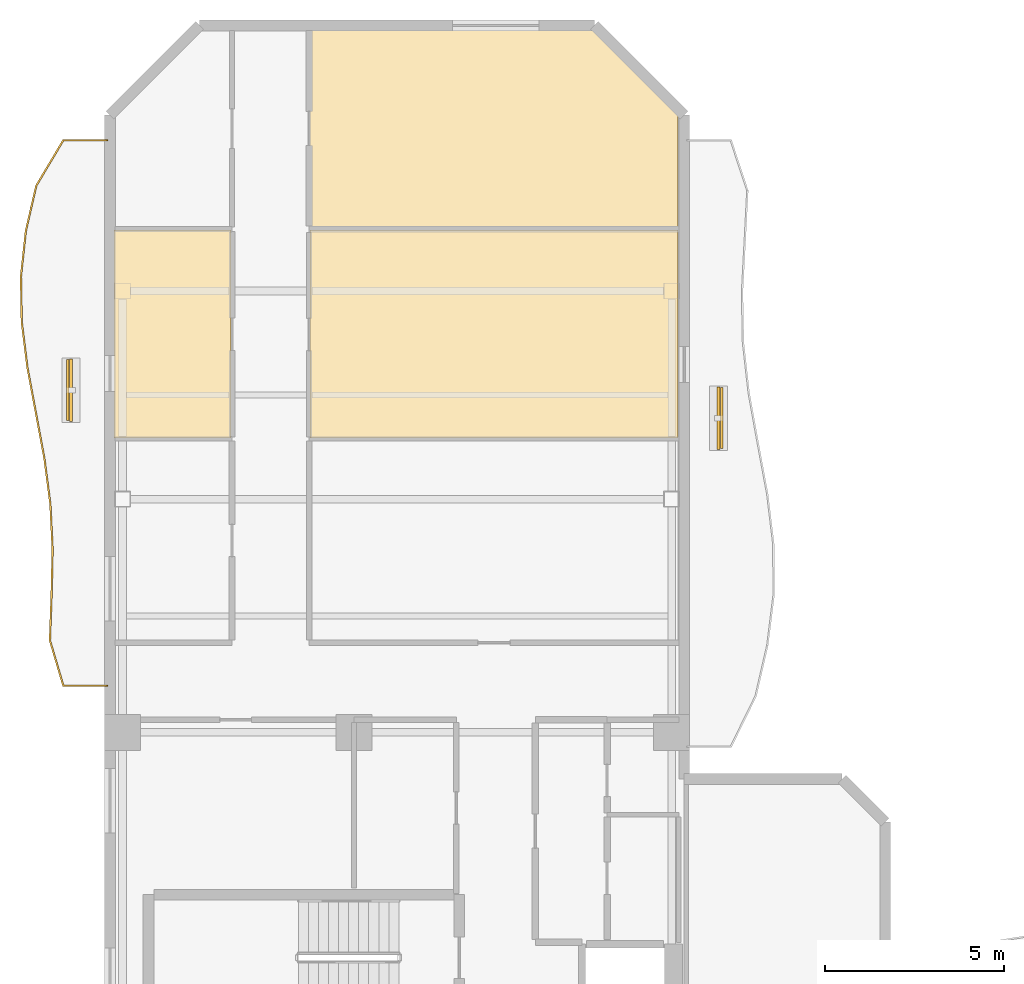
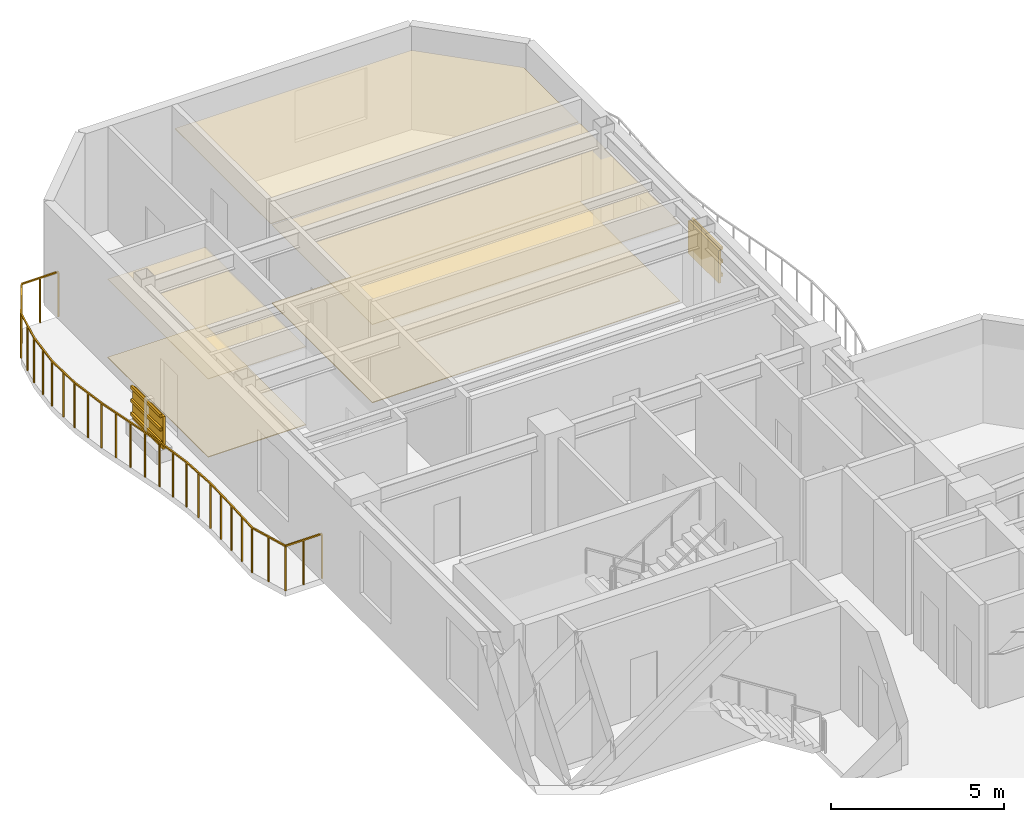
# One storey, part 9 of 9: 8 shading devices, 5 coverings, 1 railing.
"""IFC4 building model written with IfcOpenShell, lengths in metres."""

from ifc_helpers import new_model, si_unit, direction, frame, origin, origin_2d, place, context, subcontext, project, spatial, polyline, rectangle, outline, extrude, material, layer, layer_set, material_profile, profile_set, type_object, element, save


model = new_model("IFC4")

# Units and contexts
model_context = context("Model", 3, precision=1e-05, world=origin(), true_north=direction((0.0, 1.0)))
body_context = subcontext(model_context, "Body", "Model", "MODEL_VIEW")
ifc_project = project(units=[si_unit("LENGTHUNIT", "METRE"), si_unit("AREAUNIT", "SQUARE_METRE"), si_unit("VOLUMEUNIT", "CUBIC_METRE"), si_unit("PLANEANGLEUNIT", "RADIAN"), si_unit("MASSUNIT", "GRAM", prefix="KILO")], contexts=[model_context])

# Site, building, storey
site_placement = place(None, origin())
site = spatial("IfcSite", under=ifc_project, at=site_placement, CompositionType="ELEMENT")
building_placement = place(site_placement, origin())
building = spatial("IfcBuilding", under=site, at=building_placement, Name="Mawjaban Terraces University", CompositionType="ELEMENT")
storey_placement = place(building_placement, frame((0.0, 0.0, 234.300048828125)))
storey = spatial("IfcBuildingStorey", under=building, at=storey_placement, Name="L57", CompositionType="ELEMENT", Elevation=234.300048828125)

# Coverings
ifc_material_1 = material(Name="Acoustic mineral fibre ceiling tile", Category="masonry")
ifc_layer_1 = layer(ifc_material_1, 0.02001953125)
ifc_layer_set_1 = layer_set([ifc_layer_1], Name="Acoustic mineral fibre ceiling tile")
covering_type_1 = type_object("IfcCoveringType", Name="AcousticMineralCeiling_20", PredefinedType="CEILING", material=ifc_layer_set_1)
covering_1_placement = place(storey_placement, frame((0.0, 0.0, 2.75)))
element("IfcCovering", 1, at=covering_1_placement, inside=storey, type_object=covering_type_1, Name="L57 Quiet Reading Room 12 Acoustic Ceiling", PredefinedType="CEILING", context=body_context, shape_type="SweptSolid", body=[
    extrude(outline(polyline([(22.114990234375, 37.493896484375), (22.114990234375, 31.7060546875), (25.3701171875, 31.7060546875), (25.3701171875, 37.493896484375), (22.114990234375, 37.493896484375)])), origin(), (0.0, 0.0, 1.0), 0.02001953125),
])
covering_2_placement = place(storey_placement, frame((0.0, 0.0, 2.75)))
element("IfcCovering", 2, at=covering_2_placement, inside=storey, type_object=covering_type_1, Name="L57 Reading Salon 13 Acoustic Ceiling", PredefinedType="CEILING", context=body_context, shape_type="SweptSolid", body=[
    extrude(outline(polyline([(37.820068359375, 31.7060546875), (37.820068359375, 37.493896484375), (27.580078125, 37.493896484375), (27.580078125, 31.7060546875), (37.820068359375, 31.7060546875)])), origin(), (0.0, 0.0, 1.0), 0.02001953125),
])
covering_3_placement = place(storey_placement, frame((0.0, 0.0, 2.75)))
element("IfcCovering", 3, at=covering_3_placement, inside=storey, type_object=covering_type_1, Name="L57 Design Studio 15 Acoustic Ceiling", PredefinedType="CEILING", context=body_context, shape_type="SweptSolid", body=[
    extrude(outline(polyline([(37.820068359375, 40.718017578125), (35.452880859375, 43.0849609375), (27.580078125, 43.0849609375), (27.580078125, 37.553955078125), (37.820068359375, 37.553955078125), (37.820068359375, 40.718017578125)])), origin(), (0.0, 0.0, 1.0), 0.02001953125),
])

# Railing
ifc_material_2 = material(Name="Galvanised powder-coated steel S355", Category="steel")
railing_type = type_object("IfcRailingType", Name="BalconyBalustrade_1600", PredefinedType="BALUSTRADE", material=ifc_material_2)
railing_placement = place(storey_placement, frame((21.919921875, 24.800048828125, 0.0)))
element("IfcRailing", 4, at=railing_placement, inside=storey, type_object=railing_type, Name="L57 Balcony Guardrail west", PredefinedType="BALUSTRADE", context=body_context, shape_type="SweptSolid", body=[
    extrude(rectangle(XDim=0.048095703125, YDim=0.048095703125, at=origin_2d()), frame((0.0, 0.0, 1.576171875), z_axis=(-1.0, 0.0, 0.0), x_axis=(0.0, -1.0, 0.0)), (0.0, 0.0, 1.0), 1.219970703125),
    extrude(rectangle(XDim=0.048095703125, YDim=0.048095703125, at=origin_2d()), frame((-1.219970703125, 0.0, 1.576171875), z_axis=(-0.283836652003, 0.958872647946, 0.0), x_axis=(-0.958872647946, -0.283836652003, 0.0)), (0.0, 0.0, 1.0), 1.3212890625),
    extrude(rectangle(XDim=0.048095703125, YDim=0.048095703125, at=origin_2d()), frame((-1.594970703125, 1.266845703125, 1.576171875), z_axis=(0.036420094756, 0.999336568278, 0.0), x_axis=(-0.999336568278, 0.036420094756, 0.0)), (0.0, 0.0, 1.0), 1.266845703125),
    extrude(rectangle(XDim=0.048095703125, YDim=0.048095703125, at=origin_2d()), frame((-1.548828125, 2.532958984375, 1.576171875), z_axis=(0.022730156671, 0.999741636613, 0.0), x_axis=(-0.999741636613, 0.022730156671, 0.0)), (0.0, 0.0, 1.0), 1.267333984375),
    extrude(rectangle(XDim=0.048095703125, YDim=0.048095703125, at=origin_2d()), frame((-1.52001953125, 3.800048828125, 1.576171875), z_axis=(-0.049659218488, 0.998766219903, 0.0), x_axis=(-0.998766219903, -0.049659218488, 0.0)), (0.0, 0.0, 1.0), 1.268310546875),
    extrude(rectangle(XDim=0.048095703125, YDim=0.048095703125, at=origin_2d()), frame((-1.5830078125, 5.06689453125, 1.576171875), z_axis=(-0.1300093866, 0.991512763103, 0.0), x_axis=(-0.991512763103, -0.1300093866, 0.0)), (0.0, 0.0, 1.0), 1.27685546875),
    extrude(rectangle(XDim=0.048095703125, YDim=0.048095703125, at=origin_2d()), frame((-1.7490234375, 6.3330078125, 1.576171875), z_axis=(-0.183018639855, 0.98310944328, 0.0), x_axis=(-0.98310944328, -0.183018639855, 0.0)), (0.0, 0.0, 1.0), 1.28857421875),
    extrude(rectangle(XDim=0.048095703125, YDim=0.048095703125, at=origin_2d()), frame((-1.98486328125, 7.599853515625, 1.576171875), z_axis=(-0.183167629907, 0.983081695158, 0.0), x_axis=(-0.983081695158, -0.183167629907, 0.0)), (0.0, 0.0, 1.0), 1.288818359375),
    extrude(rectangle(XDim=0.048095703125, YDim=0.048095703125, at=origin_2d()), frame((-2.220947265625, 8.866943359375, 1.576171875), z_axis=(-0.124552767718, 0.992212985227, 0.0), x_axis=(-0.992212985227, -0.124552767718, 0.0)), (0.0, 0.0, 1.0), 1.276123046875),
    extrude(rectangle(XDim=0.048095703125, YDim=0.048095703125, at=origin_2d()), frame((-2.3798828125, 10.133056640625, 1.576171875), z_axis=(-0.018112272148, 0.999835959344, 0.0), x_axis=(-0.999835959344, -0.018112272148, 0.0)), (0.0, 0.0, 1.0), 1.26708984375),
    extrude(rectangle(XDim=0.048095703125, YDim=0.048095703125, at=origin_2d()), frame((-2.40283203125, 11.39990234375, 1.576171875), z_axis=(0.107466490315, 0.994208707193, 0.0), x_axis=(-0.994208707193, 0.107466490315, 0.0)), (0.0, 0.0, 1.0), 1.2744140625),
    extrude(rectangle(XDim=0.048095703125, YDim=0.048095703125, at=origin_2d()), frame((-2.265869140625, 12.6669921875, 1.576171875), z_axis=(0.224049507201, 0.974577764123, 0.0), x_axis=(-0.974577764123, 0.224049507201, 0.0)), (0.0, 0.0, 1.0), 1.298828125),
    extrude(rectangle(XDim=0.048095703125, YDim=0.048095703125, at=origin_2d()), frame((-1.974853515625, 13.932861328125, 1.576171875), z_axis=(0.511815572466, 0.859095349645, 0.0), x_axis=(-0.859095349645, 0.511815572466, 0.0)), (0.0, 0.0, 1.0), 1.474853515625),
    extrude(rectangle(XDim=0.048095703125, YDim=0.048095703125, at=origin_2d()), frame((-1.219970703125, 15.199951171875, 1.576171875), z_axis=(1.0, 0.0, 0.0), x_axis=(0.0, 1.0, 0.0)), (0.0, 0.0, 1.0), 1.219970703125),
    extrude(rectangle(XDim=0.0419921875, YDim=0.0419921875, at=origin_2d()), origin(), (0.0, 0.0, 1.0), 1.552001953125),
    extrude(rectangle(XDim=0.0419921875, YDim=0.0419921875, at=origin_2d()), frame((-0.60986328125, 0.0, 0.0)), (0.0, 0.0, 1.0), 1.552001953125),
    extrude(rectangle(XDim=0.0419921875, YDim=0.0419921875, at=origin_2d()), frame((-1.219970703125, 0.0, 0.0)), (0.0, 0.0, 1.0), 1.552001953125),
    extrude(rectangle(XDim=0.0419921875, YDim=0.0419921875, at=origin_2d()), frame((-1.407470703125, 0.63330078125, 0.0)), (0.0, 0.0, 1.0), 1.552001953125),
    extrude(rectangle(XDim=0.0419921875, YDim=0.0419921875, at=origin_2d()), frame((-1.594970703125, 1.266845703125, 0.0)), (0.0, 0.0, 1.0), 1.552001953125),
    extrude(rectangle(XDim=0.0419921875, YDim=0.0419921875, at=origin_2d()), frame((-1.57177734375, 1.89990234375, 0.0)), (0.0, 0.0, 1.0), 1.552001953125),
    extrude(rectangle(XDim=0.0419921875, YDim=0.0419921875, at=origin_2d()), frame((-1.548828125, 2.532958984375, 0.0)), (0.0, 0.0, 1.0), 1.552001953125),
    extrude(rectangle(XDim=0.0419921875, YDim=0.0419921875, at=origin_2d()), frame((-1.534423828125, 3.16650390625, 0.0)), (0.0, 0.0, 1.0), 1.552001953125),
    extrude(rectangle(XDim=0.0419921875, YDim=0.0419921875, at=origin_2d()), frame((-1.52001953125, 3.800048828125, 0.0)), (0.0, 0.0, 1.0), 1.552001953125),
    extrude(rectangle(XDim=0.0419921875, YDim=0.0419921875, at=origin_2d()), frame((-1.551513671875, 4.43359375, 0.0)), (0.0, 0.0, 1.0), 1.552001953125),
    extrude(rectangle(XDim=0.0419921875, YDim=0.0419921875, at=origin_2d()), frame((-1.5830078125, 5.06689453125, 0.0)), (0.0, 0.0, 1.0), 1.552001953125),
    extrude(rectangle(XDim=0.0419921875, YDim=0.0419921875, at=origin_2d()), frame((-1.666015625, 5.699951171875, 0.0)), (0.0, 0.0, 1.0), 1.552001953125),
    extrude(rectangle(XDim=0.0419921875, YDim=0.0419921875, at=origin_2d()), frame((-1.7490234375, 6.3330078125, 0.0)), (0.0, 0.0, 1.0), 1.552001953125),
    extrude(rectangle(XDim=0.0419921875, YDim=0.0419921875, at=origin_2d()), frame((-1.866943359375, 6.96630859375, 0.0)), (0.0, 0.0, 1.0), 1.552001953125),
    extrude(rectangle(XDim=0.0419921875, YDim=0.0419921875, at=origin_2d()), frame((-1.98486328125, 7.599853515625, 0.0)), (0.0, 0.0, 1.0), 1.552001953125),
    extrude(rectangle(XDim=0.0419921875, YDim=0.0419921875, at=origin_2d()), frame((-2.10302734375, 8.2333984375, 0.0)), (0.0, 0.0, 1.0), 1.552001953125),
    extrude(rectangle(XDim=0.0419921875, YDim=0.0419921875, at=origin_2d()), frame((-2.220947265625, 8.866943359375, 0.0)), (0.0, 0.0, 1.0), 1.552001953125),
    extrude(rectangle(XDim=0.0419921875, YDim=0.0419921875, at=origin_2d()), frame((-2.30029296875, 9.5, 0.0)), (0.0, 0.0, 1.0), 1.552001953125),
    extrude(rectangle(XDim=0.0419921875, YDim=0.0419921875, at=origin_2d()), frame((-2.3798828125, 10.133056640625, 0.0)), (0.0, 0.0, 1.0), 1.552001953125),
    extrude(rectangle(XDim=0.0419921875, YDim=0.0419921875, at=origin_2d()), frame((-2.391357421875, 10.7666015625, 0.0)), (0.0, 0.0, 1.0), 1.552001953125),
    extrude(rectangle(XDim=0.0419921875, YDim=0.0419921875, at=origin_2d()), frame((-2.40283203125, 11.39990234375, 0.0)), (0.0, 0.0, 1.0), 1.552001953125),
    extrude(rectangle(XDim=0.0419921875, YDim=0.0419921875, at=origin_2d()), frame((-2.33447265625, 12.033447265625, 0.0)), (0.0, 0.0, 1.0), 1.552001953125),
    extrude(rectangle(XDim=0.0419921875, YDim=0.0419921875, at=origin_2d()), frame((-2.265869140625, 12.6669921875, 0.0)), (0.0, 0.0, 1.0), 1.552001953125),
    extrude(rectangle(XDim=0.0419921875, YDim=0.0419921875, at=origin_2d()), frame((-2.120361328125, 13.2998046875, 0.0)), (0.0, 0.0, 1.0), 1.552001953125),
    extrude(rectangle(XDim=0.0419921875, YDim=0.0419921875, at=origin_2d()), frame((-1.974853515625, 13.932861328125, 0.0)), (0.0, 0.0, 1.0), 1.552001953125),
    extrude(rectangle(XDim=0.0419921875, YDim=0.0419921875, at=origin_2d()), frame((-1.597412109375, 14.56640625, 0.0)), (0.0, 0.0, 1.0), 1.552001953125),
    extrude(rectangle(XDim=0.0419921875, YDim=0.0419921875, at=origin_2d()), frame((-1.219970703125, 15.199951171875, 0.0)), (0.0, 0.0, 1.0), 1.552001953125),
    extrude(rectangle(XDim=0.0419921875, YDim=0.0419921875, at=origin_2d()), frame((-0.60986328125, 15.199951171875, 0.0)), (0.0, 0.0, 1.0), 1.552001953125),
    extrude(rectangle(XDim=0.0419921875, YDim=0.0419921875, at=origin_2d()), frame((0.0, 15.199951171875, 0.0)), (0.0, 0.0, 1.0), 1.552001953125),
])

# Shading devices
ifc_material_3 = material(Name="Glazed architectural terracotta ceramic", Category="masonry")
ifc_material_profile = material_profile(ifc_material_3, rectangle(XDim=0.06494140625, YDim=0.110107421875, at=origin_2d()), Name="TBAG110X65")
ifc_profile_set = profile_set([ifc_material_profile], Name="Glazed architectural terracotta ceramic")
shading_device_type_1 = type_object("IfcShadingDeviceType", Name="TerracottaBaguette_110x65", PredefinedType="USERDEFINED", material=ifc_profile_set)
for number, where, z_axis, x_axis, name in (
    (5, (20.827880859375, 32.18408203125, 0.679931640625), (0.0, 1.0, 0.0), (-1.0, 0.0, 0.0), "L57 Horizontal Terracotta Baguette west.1"),
    (6, (20.827880859375, 32.18408203125, 1.14990234375), (0.0, 1.0, 0.0), (-1.0, 0.0, 0.0), "L57 Horizontal Terracotta Baguette west.2"),
    (7, (20.827880859375, 32.18408203125, 1.619873046875), (0.0, 1.0, 0.0), (-1.0, 0.0, 0.0), "L57 Horizontal Terracotta Baguette west.3"),
    (8, (39.0439453125, 31.404052734375, 0.679931640625), (0.0, 1.0, 0.0), (-1.0, 0.0, 0.0), "L57 Horizontal Terracotta Baguette inner_east.1"),
    (9, (39.0439453125, 31.404052734375, 1.14990234375), (0.0, 1.0, 0.0), (-1.0, 0.0, 0.0), "L57 Horizontal Terracotta Baguette inner_east.2"),
    (10, (39.0439453125, 31.404052734375, 1.619873046875), (0.0, 1.0, 0.0), (-1.0, 0.0, 0.0), "L57 Horizontal Terracotta Baguette inner_east.3"),
):
    element("IfcShadingDevice", number, at=place(storey_placement, frame(where, z_axis=z_axis, x_axis=x_axis)), inside=storey, type_object=shading_device_type_1, Name=name, ObjectType="BAGUETTE", PredefinedType="USERDEFINED", context=body_context, shape_type="SweptSolid", body=[
        extrude(rectangle(XDim=0.06494140625, YDim=0.110107421875, at=origin_2d()), origin(), (0.0, 0.0, 1.0), 1.699951171875),
    ])
ifc_layer_2 = layer(ifc_material_3, 0.080078125)
ifc_layer_set_2 = layer_set([ifc_layer_2], Name="Glazed architectural terracotta ceramic")
shading_device_type_2 = type_object("IfcShadingDeviceType", Name="TerracottaScreen_Perforated", PredefinedType="USERDEFINED", material=ifc_layer_set_2)
for number, where, z_axis, x_axis, name in (
    (11, (20.9130859375, 33.033935546875, 0.43994140625), (0.0, 0.0, 1.0), (0.0, 1.0, 0.0), "L57 Balcony Perforated Terracotta Screen west"),
    (12, (38.958984375, 32.25390625, 0.43994140625), (0.0, 0.0, 1.0), (0.0, 1.0, 0.0), "L57 Balcony Perforated Terracotta Screen inner_east"),
):
    element("IfcShadingDevice", number, at=place(storey_placement, frame(where, z_axis=z_axis, x_axis=x_axis)), inside=storey, type_object=shading_device_type_2, Name=name, ObjectType="SCREEN", PredefinedType="USERDEFINED", context=body_context, shape_type="SweptSolid", body=[
        extrude(rectangle(XDim=1.75, YDim=0.080078125, at=origin_2d()), origin(), (0.0, 0.0, 1.0), 1.14990234375),
    ])

# Coverings
ifc_material_4 = material(Name="Polished Hijazi granite terrazzo flooring", Category="masonry")
ifc_layer_3 = layer(ifc_material_4, 0.02490234375)
ifc_layer_set_3 = layer_set([ifc_layer_3], Name="Polished Hijazi granite terrazzo flooring")
covering_type_2 = type_object("IfcCoveringType", Name="TerrazzoConcourseFlooring_25", PredefinedType="FLOORING", material=ifc_layer_set_3)
covering_4_placement = place(storey_placement, origin())
element("IfcCovering", 13, at=covering_4_placement, inside=storey, type_object=covering_type_2, Name="L57 Quiet Reading Room 12 Terrazzo Flooring", PredefinedType="FLOORING", context=body_context, shape_type="SweptSolid", body=[
    extrude(outline(polyline([(22.114990234375, 37.493896484375), (22.114990234375, 31.7060546875), (25.3701171875, 31.7060546875), (25.3701171875, 37.493896484375), (22.114990234375, 37.493896484375)])), origin(), (0.0, 0.0, 1.0), 0.02490234375),
])
covering_5_placement = place(storey_placement, origin())
element("IfcCovering", 14, at=covering_5_placement, inside=storey, type_object=covering_type_2, Name="L57 Reading Salon 13 Terrazzo Flooring", PredefinedType="FLOORING", context=body_context, shape_type="SweptSolid", body=[
    extrude(outline(polyline([(37.820068359375, 31.7060546875), (37.820068359375, 37.493896484375), (27.580078125, 37.493896484375), (27.580078125, 31.7060546875), (37.820068359375, 31.7060546875)])), origin(), (0.0, 0.0, 1.0), 0.02490234375),
])

save(model, "model.ifc")
